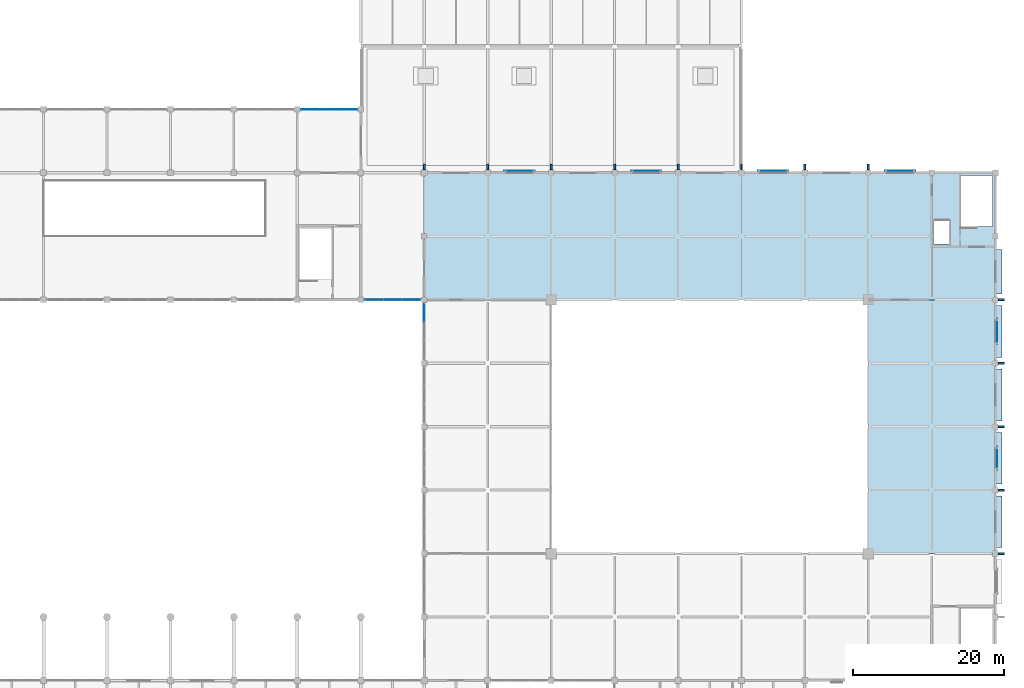
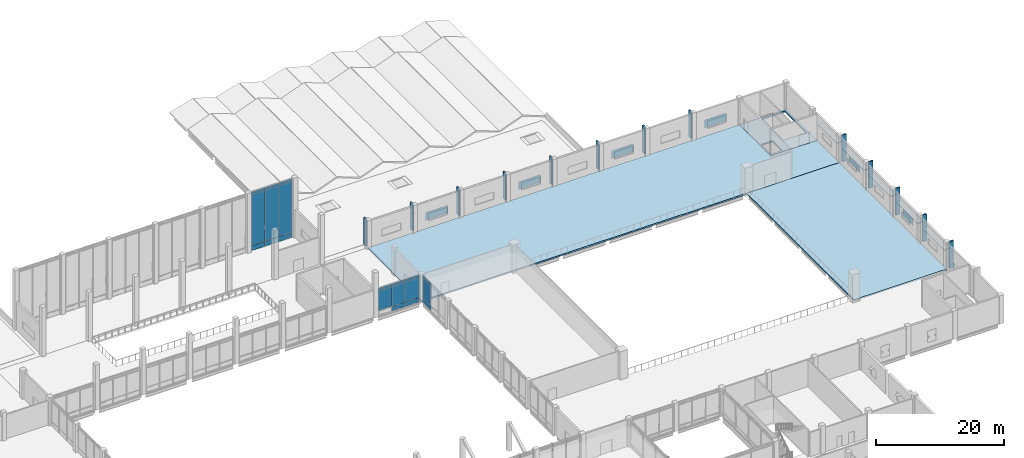
# One storey, part 45 of 72: 44 plates, 3 slabs, 3 elements without a shape of their own.
"""IFC4 building model written with IfcOpenShell, lengths in metres."""

from ifc_helpers import new_model, si_unit, direction, frame, frame_2d, origin, place, context, subcontext, project, spatial, polyline, rectangle, outline, extrude, material, layer, layer_set, type_object, element, aggregate, save


model = new_model("IFC4")

# Units and contexts
model_context = context("Model", 3, precision=1e-05, world=origin(), true_north=direction((0.0, 1.0)))
body_context = subcontext(model_context, "Body", "Model", "MODEL_VIEW")
ifc_project = project(units=[si_unit("LENGTHUNIT", "METRE"), si_unit("AREAUNIT", "SQUARE_METRE"), si_unit("VOLUMEUNIT", "CUBIC_METRE"), si_unit("PLANEANGLEUNIT", "RADIAN"), si_unit("MASSUNIT", "GRAM", prefix="KILO")], contexts=[model_context])

# Site, building, storey
site_placement = place(None, origin())
site = spatial("IfcSite", under=ifc_project, at=site_placement, CompositionType="ELEMENT")
building_placement = place(site_placement, origin())
building = spatial("IfcBuilding", under=site, at=building_placement, Name="Qawsi Khor Wholesale Market", CompositionType="ELEMENT")
storey_placement = place(building_placement, frame((0.0, 0.0, 6.0)))
storey = spatial("IfcBuildingStorey", under=building, at=storey_placement, Name="L01", CompositionType="ELEMENT", Elevation=6.0)

# Curtain wall, plate
ifc_material_1 = material(Name="Aluminium Anodised Bronze", Category="aluminium")
ifc_layer_1 = layer(ifc_material_1, 0.199951171875, Name="Aluminium Anodised Bronze")
ifc_layer_set_1 = layer_set([ifc_layer_1], Name="Aluminium Anodised Bronze")
curtain_wall_type_1 = type_object("IfcCurtainWallType", Name="Trading Hall North-Light Curtain Wall CW-03", PredefinedType="NOTDEFINED", material=ifc_layer_set_1)
curtain_wall_1_placement = place(storey_placement, origin())
curtain_wall_1 = element("IfcCurtainWall", 1, at=curtain_wall_1_placement, inside=storey, type_object=curtain_wall_type_1, Name="Curtain wall CW-CW-03-L01-096", PredefinedType="NOTDEFINED")
ifc_material_2 = material(Name="Anodised Aluminium Spandrel", Category="aluminium")
ifc_layer_2 = layer(ifc_material_2, 0.074951171875, Name="Anodised Aluminium Spandrel")
ifc_layer_set_2 = layer_set([ifc_layer_2], Name="Anodised Aluminium Spandrel")
plate_type_1 = type_object("IfcPlateType", Name="Insulated Spandrel Panel CW-03 75mm", PredefinedType="CURTAIN_PANEL", material=ifc_layer_set_2)
plate_1_placement = place(storey_placement, frame((142.800048828125, 89.43408203125, 0.0048828125), z_axis=(0.0, 0.0, 1.0), x_axis=(0.0, 1.0, 0.0)))
plate_1 = element("IfcPlate", 2, at=plate_1_placement, type_object=plate_type_1, Name="Curtain panel CW-CW-03-L01-096-P0_02", PredefinedType="CURTAIN_PANEL", context=body_context, shape_type="SweptSolid", body=[
    extrude(rectangle(XDim=2.468505859375, YDim=0.074951171875, at=frame_2d((1.234375, 0.0))), origin(), (0.0, 0.0, 1.0), 0.840087890625),
])

# Curtain wall, plates
ifc_layer_3 = layer(ifc_material_1, 0.219970703125, Name="Aluminium Anodised Bronze")
ifc_layer_set_3 = layer_set([ifc_layer_3], Name="Aluminium Anodised Bronze")
curtain_wall_type_2 = type_object("IfcCurtainWallType", Name="Auction Clerestory Curtain Wall CW-04", PredefinedType="NOTDEFINED", material=ifc_layer_set_3)
curtain_wall_2_placement = place(storey_placement, origin())
curtain_wall_2 = element("IfcCurtainWall", 3, at=curtain_wall_2_placement, inside=storey, type_object=curtain_wall_type_2, Name="Curtain wall CW-CW-04-L01-114", PredefinedType="NOTDEFINED")
ifc_layer_4 = layer(ifc_material_2, 0.0849609375, Name="Anodised Aluminium Spandrel")
ifc_layer_set_4 = layer_set([ifc_layer_4], Name="Anodised Aluminium Spandrel")
plate_type_2 = type_object("IfcPlateType", Name="Insulated Spandrel Panel CW-04 85mm", PredefinedType="CURTAIN_PANEL", material=ifc_layer_set_4)
plate_2_placement = place(storey_placement, frame((126.5, 117.60009765625, 0.0048828125), z_axis=(0.0, 0.0, 1.0), x_axis=(1.0, 0.0, 0.0)))
plate_2 = element("IfcPlate", 4, at=plate_2_placement, type_object=plate_type_2, Name="Curtain panel CW-CW-04-L01-114-P0_00", PredefinedType="CURTAIN_PANEL", context=body_context, shape_type="SweptSolid", body=[
    extrude(rectangle(XDim=2.466796875, YDim=0.0849609375, at=frame_2d((1.2333984375, 0.0))), origin(), (0.0, 0.0, 1.0), 0.940185546875),
])
plate_3_placement = place(storey_placement, frame((128.966796875, 117.60009765625, 0.0048828125), z_axis=(0.0, 0.0, 1.0), x_axis=(1.0, 0.0, 0.0)))
plate_3 = element("IfcPlate", 5, at=plate_3_placement, type_object=plate_type_2, Name="Curtain panel CW-CW-04-L01-114-P0_01", PredefinedType="CURTAIN_PANEL", context=body_context, shape_type="SweptSolid", body=[
    extrude(rectangle(XDim=2.466552734375, YDim=0.0849609375, at=frame_2d((1.2333984375, 0.0))), origin(), (0.0, 0.0, 1.0), 0.940185546875),
])
plate_4_placement = place(storey_placement, frame((131.433349609375, 117.60009765625, 0.0048828125), z_axis=(0.0, 0.0, 1.0), x_axis=(1.0, 0.0, 0.0)))
plate_4 = element("IfcPlate", 6, at=plate_4_placement, type_object=plate_type_2, Name="Curtain panel CW-CW-04-L01-114-P0_02", PredefinedType="CURTAIN_PANEL", context=body_context, shape_type="SweptSolid", body=[
    extrude(rectangle(XDim=2.466552734375, YDim=0.0849609375, at=frame_2d((1.2333984375, 0.0))), origin(), (0.0, 0.0, 1.0), 0.940185546875),
])

curtain_wall_3_placement = place(storey_placement, origin())
curtain_wall_3 = element("IfcCurtainWall", 7, at=curtain_wall_3_placement, inside=storey, type_object=curtain_wall_type_2, Name="Curtain wall CW-CW-04-L01-116", PredefinedType="NOTDEFINED")
plate_5_placement = place(storey_placement, frame((137.39990234375, 92.39990234375, 0.0048828125), z_axis=(0.0, 0.0, 1.0), x_axis=(1.0, 0.0, 0.0)))
plate_5 = element("IfcPlate", 8, at=plate_5_placement, type_object=plate_type_2, Name="Curtain panel CW-CW-04-L01-116-P0_01", PredefinedType="CURTAIN_PANEL", context=body_context, shape_type="SweptSolid", body=[
    extrude(rectangle(XDim=2.4501953125, YDim=0.0849609375, at=frame_2d((1.22509765625, 0.0))), origin(), (0.0, 0.0, 1.0), 0.840087890625),
])
plate_6_placement = place(storey_placement, frame((139.85009765625, 92.39990234375, 0.0048828125), z_axis=(0.0, 0.0, 1.0), x_axis=(1.0, 0.0, 0.0)))
plate_6 = element("IfcPlate", 9, at=plate_6_placement, type_object=plate_type_2, Name="Curtain panel CW-CW-04-L01-116-P0_02", PredefinedType="CURTAIN_PANEL", context=body_context, shape_type="SweptSolid", body=[
    extrude(rectangle(XDim=2.449951171875, YDim=0.0849609375, at=frame_2d((1.22509765625, 0.0))), origin(), (0.0, 0.0, 1.0), 0.840087890625),
])

# Slabs
ifc_material_3 = material(Name="Concrete C40/50", Category="concrete")
ifc_layer_5 = layer(ifc_material_3, 0.27001953125, Name="Concrete C40/50")
ifc_layer_set_5 = layer_set([ifc_layer_5], Name="Concrete C40/50")
slab_type_1 = type_object("IfcSlabType", Name="Mezzanine Floor Slab 265 C40/50", PredefinedType="FLOOR", material=ifc_layer_set_5)
slab_1_placement = place(storey_placement, frame((0.0, 0.0, -0.27001953125)))
element("IfcSlab", 10, at=slab_1_placement, inside=storey, type_object=slab_type_1, Name="SLB-L01-EHALL-E", PredefinedType="FLOOR", context=body_context, shape_type="SweptSolid", body=[
    extrude(outline(polyline([(201.60009765625, 92.39990234375), (218.39990234375, 92.39990234375), (218.39990234375, 58.800048828125), (201.60009765625, 58.800048828125), (201.60009765625, 92.39990234375)])), origin(), (0.0, 0.0, 1.0), 0.27001953125),
])
slab_2_placement = place(storey_placement, frame((0.0, 0.0, -0.27001953125)))
element("IfcSlab", 11, at=slab_2_placement, inside=storey, type_object=slab_type_1, Name="SLB-L01-EHALL-N", PredefinedType="FLOOR", context=body_context, shape_type="SweptSolid", body=[
    extrude(outline(polyline([(142.800048828125, 109.199951171875), (210.0, 109.199951171875), (210.0, 99.39990234375), (218.39990234375, 99.39990234375), (218.39990234375, 92.39990234375), (142.800048828125, 92.39990234375), (142.800048828125, 109.199951171875)])), origin(), (0.0, 0.0, 1.0), 0.27001953125),
])

# Plates
ifc_material_4 = material(Name="Perforated Bronze-Anodised Aluminium", Category="aluminium")
ifc_layer_6 = layer(ifc_material_4, 0.02001953125, Name="Perforated Bronze-Anodised Aluminium")
ifc_layer_set_6 = layer_set([ifc_layer_6], Name="Perforated Bronze-Anodised Aluminium")
plate_type_3 = type_object("IfcPlateType", Name="Perforated Bronze Mashrabiya Screen 20mm", PredefinedType="SHEET", material=ifc_layer_set_6)
for number, where, z_axis, x_axis, name in (
    (12, (153.39990234375, 109.465087890625, 1.35009765625), (0.0, 0.0, 1.0), (1.0, 0.0, 0.0), "Solar mashrabiya screen 097"),
    (13, (170.199951171875, 109.465087890625, 1.35009765625), (0.0, 0.0, 1.0), (1.0, 0.0, 0.0), "Solar mashrabiya screen 098"),
    (14, (187.0, 109.465087890625, 1.35009765625), (0.0, 0.0, 1.0), (1.0, 0.0, 0.0), "Solar mashrabiya screen 099"),
    (15, (203.800048828125, 109.465087890625, 1.35009765625), (0.0, 0.0, 1.0), (1.0, 0.0, 0.0), "Solar mashrabiya screen 100"),
):
    element("IfcPlate", number, at=place(storey_placement, frame(where, z_axis=z_axis, x_axis=x_axis)), inside=storey, type_object=plate_type_3, Name=name, PredefinedType="SHEET", context=body_context, shape_type="SweptSolid", body=[
        extrude(rectangle(XDim=4.0, YDim=0.02001953125, at=frame_2d((2.0, 0.0))), origin(), (0.0, 0.0, 1.0), 1.5),
    ])
ifc_layer_7 = layer(ifc_material_4, 0.028076171875, Name="Perforated Bronze-Anodised Aluminium")
ifc_layer_set_7 = layer_set([ifc_layer_7], Name="Perforated Bronze-Anodised Aluminium")
plate_type_4 = type_object("IfcPlateType", Name="Perforated Bronze Mashrabiya Screen 28mm", PredefinedType="SHEET", material=ifc_layer_set_7)
plate_7_placement = place(storey_placement, frame((218.6650390625, 72.949951171875, 1.449951171875), z_axis=(0.0, 0.0, 1.0), x_axis=(0.0, -1.0, 0.0)))
element("IfcPlate", 16, at=plate_7_placement, inside=storey, type_object=plate_type_4, Name="Solar mashrabiya screen 093", PredefinedType="SHEET", context=body_context, shape_type="SweptSolid", body=[
    extrude(rectangle(XDim=3.099853515625, YDim=0.028076171875, at=frame_2d((1.5498046875, 0.0))), origin(), (0.0, 0.0, 1.0), 1.35009765625),
])
plate_8_placement = place(storey_placement, frame((218.6650390625, 89.89990234375, 1.449951171875), z_axis=(0.0, 0.0, 1.0), x_axis=(0.0, -1.0, 0.0)))
element("IfcPlate", 17, at=plate_8_placement, inside=storey, type_object=plate_type_4, Name="Solar mashrabiya screen 094", PredefinedType="SHEET", context=body_context, shape_type="SweptSolid", body=[
    extrude(rectangle(XDim=3.39990234375, YDim=0.028076171875, at=frame_2d((1.699951171875, 0.0))), origin(), (0.0, 0.0, 1.0), 1.25),
])
ifc_layer_8 = layer(ifc_material_3, 0.260009765625, Name="Concrete C40/50")
ifc_layer_set_8 = layer_set([ifc_layer_8], Name="Concrete C40/50")
plate_type_5 = type_object("IfcPlateType", Name="Sculpted Concrete Solar Buttress Fin 260", PredefinedType="SHEET", material=ifc_layer_set_8)
for number, where, z_axis, x_axis, name in (
    (18, (218.7900390625, 58.800048828125, 0.0), (0.0, 0.0, 1.0), (1.0, 0.0, 0.0), "East Hall Concrete Buttress Rib L01-7"),
    (19, (218.7900390625, 67.199951171875, 0.0), (0.0, 0.0, 1.0), (1.0, 0.0, 0.0), "East Hall Concrete Buttress Rib L01-8"),
    (20, (218.7900390625, 75.60009765625, 0.0), (0.0, 0.0, 1.0), (1.0, 0.0, 0.0), "East Hall Concrete Buttress Rib L01-9"),
    (21, (218.7900390625, 84.0, 0.0), (0.0, 0.0, 1.0), (1.0, 0.0, 0.0), "East Hall Concrete Buttress Rib L01-10"),
    (22, (218.7900390625, 92.39990234375, 0.0), (0.0, 0.0, 1.0), (1.0, 0.0, 0.0), "East Hall Concrete Buttress Rib L01-11"),
    (23, (142.800048828125, 109.590087890625, 0.0), (0.0, 0.0, 1.0), (0.0, 1.0, 0.0), "East Hall North Concrete Fin L01-17"),
    (24, (151.199951171875, 109.590087890625, 0.0), (0.0, 0.0, 1.0), (0.0, 1.0, 0.0), "East Hall North Concrete Fin L01-18"),
    (25, (159.60009765625, 109.590087890625, 0.0), (0.0, 0.0, 1.0), (0.0, 1.0, 0.0), "East Hall North Concrete Fin L01-19"),
    (26, (168.0, 109.590087890625, 0.0), (0.0, 0.0, 1.0), (0.0, 1.0, 0.0), "East Hall North Concrete Fin L01-20"),
    (27, (176.39990234375, 109.590087890625, 0.0), (0.0, 0.0, 1.0), (0.0, 1.0, 0.0), "East Hall North Concrete Fin L01-21"),
    (28, (184.800048828125, 109.590087890625, 0.0), (0.0, 0.0, 1.0), (0.0, 1.0, 0.0), "East Hall North Concrete Fin L01-22"),
    (29, (193.199951171875, 109.590087890625, 0.0), (0.0, 0.0, 1.0), (0.0, 1.0, 0.0), "East Hall North Concrete Fin L01-23"),
    (30, (201.60009765625, 109.590087890625, 0.0), (0.0, 0.0, 1.0), (0.0, 1.0, 0.0), "East Hall North Concrete Fin L01-24"),
):
    element("IfcPlate", number, at=place(storey_placement, frame(where, z_axis=z_axis, x_axis=x_axis)), inside=storey, type_object=plate_type_5, Name=name, PredefinedType="SHEET", context=body_context, shape_type="SweptSolid", body=[
        extrude(rectangle(XDim=0.760009765625, YDim=0.260009765625, at=frame_2d((0.3798828125, 0.0))), origin(), (0.0, 0.0, 1.0), 5.1298828125),
    ])
ifc_layer_9 = layer(ifc_material_3, 0.949951171875, Name="Concrete C40/50")
ifc_layer_set_9 = layer_set([ifc_layer_9], Name="Concrete C40/50")
plate_type_6 = type_object("IfcPlateType", Name="Sculpted Concrete Sun-Hood Canopy 950", PredefinedType="SHEET", material=ifc_layer_set_9)
plate_9_placement = place(storey_placement, frame((218.824951171875, 59.580078125, 3.050048828125), z_axis=(0.0, 0.0, 1.0), x_axis=(0.0, 1.0, 0.0)))
element("IfcPlate", 31, at=plate_9_placement, inside=storey, type_object=plate_type_6, Name="East Hall Concrete Sun-Hood L01-7", PredefinedType="SHEET", context=body_context, shape_type="SweptSolid", body=[
    extrude(rectangle(XDim=6.83984375, YDim=0.949951171875, at=frame_2d((3.419921875, 0.0))), origin(), (0.0, 0.0, 1.0), 0.18994140625),
])
for number, where, z_axis, x_axis, name in (
    (32, (218.824951171875, 67.97998046875, 3.050048828125), (0.0, 0.0, 1.0), (0.0, 1.0, 0.0), "East Hall Concrete Sun-Hood L01-8"),
    (33, (218.824951171875, 76.3798828125, 3.050048828125), (0.0, 0.0, 1.0), (0.0, 1.0, 0.0), "East Hall Concrete Sun-Hood L01-9"),
    (34, (218.824951171875, 84.780029296875, 3.050048828125), (0.0, 0.0, 1.0), (0.0, 1.0, 0.0), "East Hall Concrete Sun-Hood L01-10"),
):
    element("IfcPlate", number, at=place(storey_placement, frame(where, z_axis=z_axis, x_axis=x_axis)), inside=storey, type_object=plate_type_6, Name=name, PredefinedType="SHEET", context=body_context, shape_type="SweptSolid", body=[
        extrude(rectangle(XDim=6.840087890625, YDim=0.949951171875, at=frame_2d((3.419921875, 0.0))), origin(), (0.0, 0.0, 1.0), 0.18994140625),
    ])
plate_10_placement = place(storey_placement, frame((218.824951171875, 93.179931640625, 3.050048828125), z_axis=(0.0, 0.0, 1.0), x_axis=(0.0, 1.0, 0.0)))
element("IfcPlate", 35, at=plate_10_placement, inside=storey, type_object=plate_type_6, Name="East Hall Concrete Sun-Hood L01-11", PredefinedType="SHEET", context=body_context, shape_type="SweptSolid", body=[
    extrude(rectangle(XDim=5.8701171875, YDim=0.949951171875, at=frame_2d((2.93505859375, 0.0))), origin(), (0.0, 0.0, 1.0), 0.18994140625),
])

# Plate
ifc_material_5 = material(Name="Tempered Low-E Solar Glass", Category="glass")
ifc_layer_10 = layer(ifc_material_5, 0.0419921875, Name="Tempered Low-E Solar Glass")
ifc_layer_set_10 = layer_set([ifc_layer_10], Name="Tempered Low-E Solar Glass")
plate_type_7 = type_object("IfcPlateType", Name="Solar Double-Glazed Unit CW-03 42mm", PredefinedType="CURTAIN_PANEL", material=ifc_layer_set_10)
plate_11_placement = place(storey_placement, frame((142.800048828125, 89.43408203125, 0.85498046875), z_axis=(0.0, 0.0, 1.0), x_axis=(0.0, 1.0, 0.0)))
plate_11 = element("IfcPlate", 36, at=plate_11_placement, type_object=plate_type_7, Name="Curtain panel CW-CW-03-L01-096-P1_02", PredefinedType="CURTAIN_PANEL", context=body_context, shape_type="SweptSolid", body=[
    extrude(rectangle(XDim=2.468505859375, YDim=0.0419921875, at=frame_2d((1.234375, 0.0))), origin(), (0.0, 0.0, 1.0), 3.820068359375),
])

plate_12_placement = place(storey_placement, frame((142.800048828125, 89.43408203125, 4.68505859375), z_axis=(0.0, 0.0, 1.0), x_axis=(0.0, 1.0, 0.0)))
plate_12 = element("IfcPlate", 37, at=plate_12_placement, type_object=plate_type_7, Name="Curtain panel CW-CW-03-L01-096-P2_02", PredefinedType="CURTAIN_PANEL", context=body_context, shape_type="SweptSolid", body=[
    extrude(rectangle(XDim=2.468505859375, YDim=0.0419921875, at=frame_2d((1.234375, 0.0))), origin(), (0.0, 0.0, 1.0), 0.43994140625),
])

aggregate(curtain_wall_1, [plate_1, plate_11, plate_12])

ifc_layer_11 = layer(ifc_material_5, 0.050048828125, Name="Tempered Low-E Solar Glass")
ifc_layer_set_11 = layer_set([ifc_layer_11], Name="Tempered Low-E Solar Glass")
plate_type_8 = type_object("IfcPlateType", Name="Solar Double-Glazed Unit CW-04 50mm", PredefinedType="CURTAIN_PANEL", material=ifc_layer_set_11)
plate_13_placement = place(storey_placement, frame((126.5, 117.60009765625, 0.955078125), z_axis=(0.0, 0.0, 1.0), x_axis=(1.0, 0.0, 0.0)))
plate_13 = element("IfcPlate", 38, at=plate_13_placement, type_object=plate_type_8, Name="Curtain panel CW-CW-04-L01-114-P1_00", PredefinedType="CURTAIN_PANEL", context=body_context, shape_type="SweptSolid", body=[
    extrude(rectangle(XDim=2.466796875, YDim=0.050048828125, at=frame_2d((1.2333984375, 0.0))), origin(), (0.0, 0.0, 1.0), 9.7900390625),
])

plate_14_placement = place(storey_placement, frame((128.966796875, 117.60009765625, 0.955078125), z_axis=(0.0, 0.0, 1.0), x_axis=(1.0, 0.0, 0.0)))
plate_14 = element("IfcPlate", 39, at=plate_14_placement, type_object=plate_type_8, Name="Curtain panel CW-CW-04-L01-114-P1_01", PredefinedType="CURTAIN_PANEL", context=body_context, shape_type="SweptSolid", body=[
    extrude(rectangle(XDim=2.466552734375, YDim=0.050048828125, at=frame_2d((1.2333984375, 0.0))), origin(), (0.0, 0.0, 1.0), 9.7900390625),
])

plate_15_placement = place(storey_placement, frame((131.433349609375, 117.60009765625, 0.955078125), z_axis=(0.0, 0.0, 1.0), x_axis=(1.0, 0.0, 0.0)))
plate_15 = element("IfcPlate", 40, at=plate_15_placement, type_object=plate_type_8, Name="Curtain panel CW-CW-04-L01-114-P1_02", PredefinedType="CURTAIN_PANEL", context=body_context, shape_type="SweptSolid", body=[
    extrude(rectangle(XDim=2.466552734375, YDim=0.050048828125, at=frame_2d((1.2333984375, 0.0))), origin(), (0.0, 0.0, 1.0), 9.7900390625),
])

plate_16_placement = place(storey_placement, frame((126.5, 117.60009765625, 10.7548828125), z_axis=(0.0, 0.0, 1.0), x_axis=(1.0, 0.0, 0.0)))
plate_16 = element("IfcPlate", 41, at=plate_16_placement, type_object=plate_type_8, Name="Curtain panel CW-CW-04-L01-114-P2_00", PredefinedType="CURTAIN_PANEL", context=body_context, shape_type="SweptSolid", body=[
    extrude(rectangle(XDim=2.466796875, YDim=0.050048828125, at=frame_2d((1.2333984375, 0.0))), origin(), (0.0, 0.0, 1.0), 0.440185546875),
])

plate_17_placement = place(storey_placement, frame((128.966796875, 117.60009765625, 10.7548828125), z_axis=(0.0, 0.0, 1.0), x_axis=(1.0, 0.0, 0.0)))
plate_17 = element("IfcPlate", 42, at=plate_17_placement, type_object=plate_type_8, Name="Curtain panel CW-CW-04-L01-114-P2_01", PredefinedType="CURTAIN_PANEL", context=body_context, shape_type="SweptSolid", body=[
    extrude(rectangle(XDim=2.466552734375, YDim=0.050048828125, at=frame_2d((1.2333984375, 0.0))), origin(), (0.0, 0.0, 1.0), 0.440185546875),
])

plate_18_placement = place(storey_placement, frame((131.433349609375, 117.60009765625, 10.7548828125), z_axis=(0.0, 0.0, 1.0), x_axis=(1.0, 0.0, 0.0)))
plate_18 = element("IfcPlate", 43, at=plate_18_placement, type_object=plate_type_8, Name="Curtain panel CW-CW-04-L01-114-P2_02", PredefinedType="CURTAIN_PANEL", context=body_context, shape_type="SweptSolid", body=[
    extrude(rectangle(XDim=2.466552734375, YDim=0.050048828125, at=frame_2d((1.2333984375, 0.0))), origin(), (0.0, 0.0, 1.0), 0.440185546875),
])

aggregate(curtain_wall_2, [plate_2, plate_3, plate_4, plate_13, plate_14, plate_15, plate_16, plate_17, plate_18])

plate_19_placement = place(storey_placement, frame((134.949951171875, 92.39990234375, 0.85498046875), z_axis=(0.0, 0.0, 1.0), x_axis=(1.0, 0.0, 0.0)))
plate_19 = element("IfcPlate", 44, at=plate_19_placement, type_object=plate_type_8, Name="Curtain panel CW-CW-04-L01-116-P1_00", PredefinedType="CURTAIN_PANEL", context=body_context, shape_type="SweptSolid", body=[
    extrude(rectangle(XDim=2.449951171875, YDim=0.050048828125, at=frame_2d((1.22509765625, 0.0))), origin(), (0.0, 0.0, 1.0), 3.81005859375),
])

plate_20_placement = place(storey_placement, frame((137.39990234375, 92.39990234375, 0.85498046875), z_axis=(0.0, 0.0, 1.0), x_axis=(1.0, 0.0, 0.0)))
plate_20 = element("IfcPlate", 45, at=plate_20_placement, type_object=plate_type_8, Name="Curtain panel CW-CW-04-L01-116-P1_01", PredefinedType="CURTAIN_PANEL", context=body_context, shape_type="SweptSolid", body=[
    extrude(rectangle(XDim=2.4501953125, YDim=0.050048828125, at=frame_2d((1.22509765625, 0.0))), origin(), (0.0, 0.0, 1.0), 3.81005859375),
])

plate_21_placement = place(storey_placement, frame((139.85009765625, 92.39990234375, 0.85498046875), z_axis=(0.0, 0.0, 1.0), x_axis=(1.0, 0.0, 0.0)))
plate_21 = element("IfcPlate", 46, at=plate_21_placement, type_object=plate_type_8, Name="Curtain panel CW-CW-04-L01-116-P1_02", PredefinedType="CURTAIN_PANEL", context=body_context, shape_type="SweptSolid", body=[
    extrude(rectangle(XDim=2.449951171875, YDim=0.050048828125, at=frame_2d((1.22509765625, 0.0))), origin(), (0.0, 0.0, 1.0), 3.81005859375),
])

plate_22_placement = place(storey_placement, frame((134.949951171875, 92.39990234375, 4.675048828125), z_axis=(0.0, 0.0, 1.0), x_axis=(1.0, 0.0, 0.0)))
plate_22 = element("IfcPlate", 47, at=plate_22_placement, type_object=plate_type_8, Name="Curtain panel CW-CW-04-L01-116-P2_00", PredefinedType="CURTAIN_PANEL", context=body_context, shape_type="SweptSolid", body=[
    extrude(rectangle(XDim=2.449951171875, YDim=0.050048828125, at=frame_2d((1.22509765625, 0.0))), origin(), (0.0, 0.0, 1.0), 0.43994140625),
])

plate_23_placement = place(storey_placement, frame((137.39990234375, 92.39990234375, 4.675048828125), z_axis=(0.0, 0.0, 1.0), x_axis=(1.0, 0.0, 0.0)))
plate_23 = element("IfcPlate", 48, at=plate_23_placement, type_object=plate_type_8, Name="Curtain panel CW-CW-04-L01-116-P2_01", PredefinedType="CURTAIN_PANEL", context=body_context, shape_type="SweptSolid", body=[
    extrude(rectangle(XDim=2.4501953125, YDim=0.050048828125, at=frame_2d((1.22509765625, 0.0))), origin(), (0.0, 0.0, 1.0), 0.43994140625),
])

plate_24_placement = place(storey_placement, frame((139.85009765625, 92.39990234375, 4.675048828125), z_axis=(0.0, 0.0, 1.0), x_axis=(1.0, 0.0, 0.0)))
plate_24 = element("IfcPlate", 49, at=plate_24_placement, type_object=plate_type_8, Name="Curtain panel CW-CW-04-L01-116-P2_02", PredefinedType="CURTAIN_PANEL", context=body_context, shape_type="SweptSolid", body=[
    extrude(rectangle(XDim=2.449951171875, YDim=0.050048828125, at=frame_2d((1.22509765625, 0.0))), origin(), (0.0, 0.0, 1.0), 0.43994140625),
])

aggregate(curtain_wall_3, [plate_5, plate_6, plate_19, plate_20, plate_21, plate_22, plate_23, plate_24])

# Slab
ifc_layer_12 = layer(ifc_material_3, 0.280029296875, Name="Concrete C40/50")
ifc_layer_set_12 = layer_set([ifc_layer_12], Name="Concrete C40/50")
slab_type_2 = type_object("IfcSlabType", Name="Suspended Floor Slab 280 C40/50", PredefinedType="FLOOR", material=ifc_layer_set_12)
slab_3_placement = place(storey_placement, frame((0.0, 0.0, -0.280029296875)))
element("IfcSlab", 50, at=slab_3_placement, inside=storey, type_object=slab_type_2, Name="Core floor slab L01 C12", PredefinedType="FLOOR", context=body_context, shape_type="SweptSolid", body=[
    extrude(outline(polyline([(210.0, 109.199951171875), (218.39990234375, 109.199951171875), (218.39990234375, 99.39990234375), (210.0, 99.39990234375), (210.0, 109.199951171875)]), holes=[polyline([(210.199951171875, 99.800048828125), (212.280029296875, 99.800048828125), (212.280029296875, 102.800048828125), (210.199951171875, 102.800048828125), (210.199951171875, 99.800048828125)]), polyline([(213.820068359375, 102.080078125), (218.06005859375, 102.080078125), (218.06005859375, 108.860107421875), (213.820068359375, 108.860107421875), (213.820068359375, 102.080078125)])]), origin(), (0.0, 0.0, 1.0), 0.280029296875),
])

save(model, "model.ifc")
